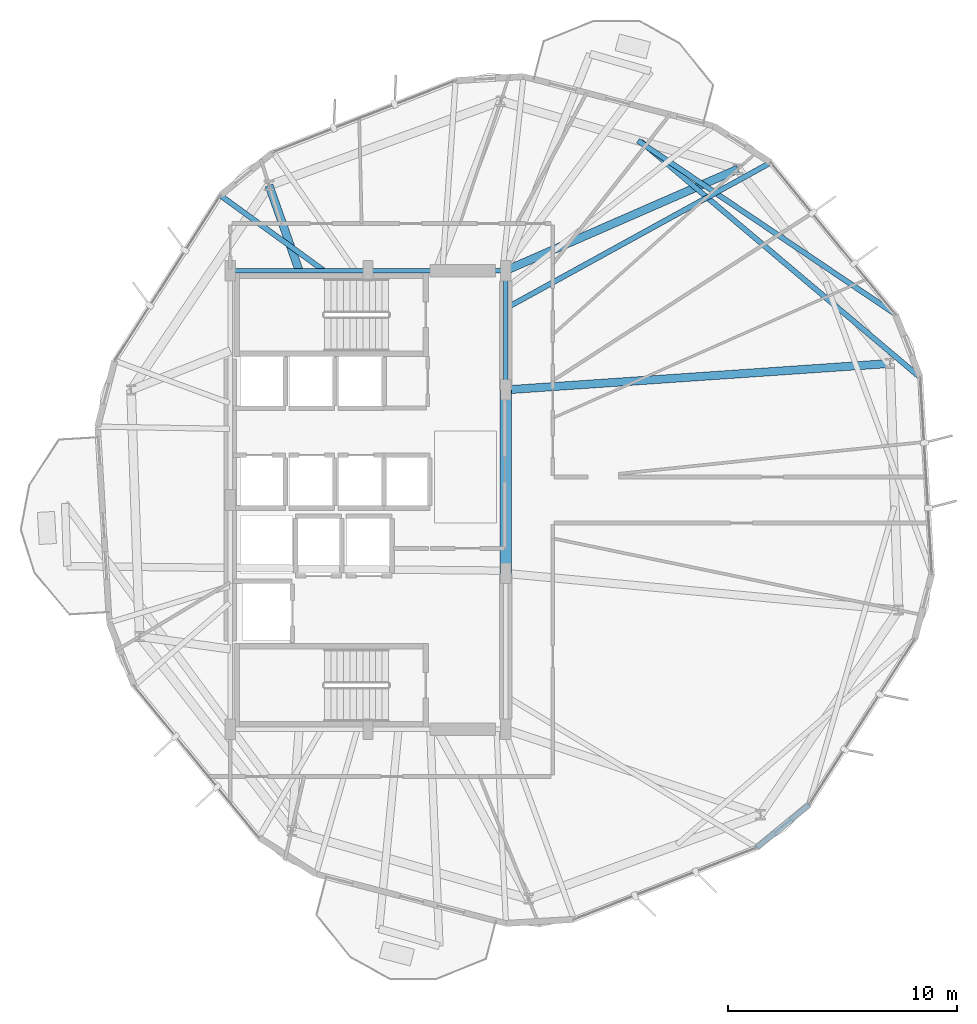
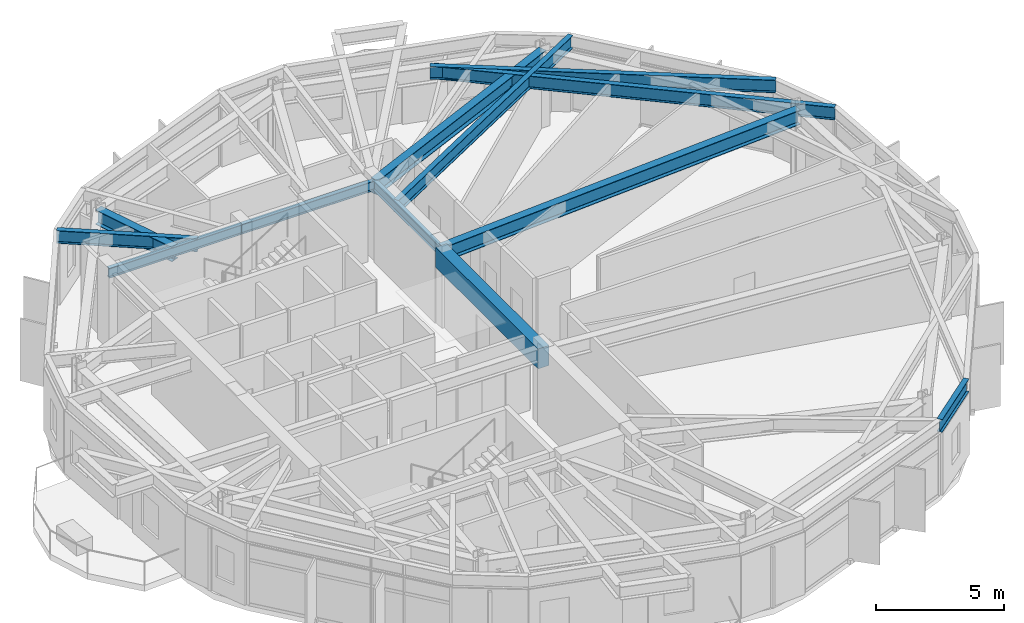
# One storey, part 8 of 22: 12 beams.
"""IFC4 building model written with IfcOpenShell, lengths in metres."""

from ifc_helpers import new_model, si_unit, direction, frame, origin, origin_2d, place, context, subcontext, project, spatial, rectangle, i_section, extrude, material, material_profile, profile_set, type_object, element, save


model = new_model("IFC4")

# Units and contexts
model_context = context("Model", 3, precision=1e-05, world=origin(), true_north=direction((0.0, 1.0)))
body_context = subcontext(model_context, "Body", "Model", "MODEL_VIEW")
ifc_project = project(units=[si_unit("LENGTHUNIT", "METRE"), si_unit("AREAUNIT", "SQUARE_METRE"), si_unit("VOLUMEUNIT", "CUBIC_METRE"), si_unit("PLANEANGLEUNIT", "RADIAN"), si_unit("MASSUNIT", "GRAM", prefix="KILO")], contexts=[model_context])

# Site, building, storey
site_placement = place(None, origin())
site = spatial("IfcSite", under=ifc_project, at=site_placement, CompositionType="ELEMENT")
building_placement = place(site_placement, origin())
building = spatial("IfcBuilding", under=site, at=building_placement, Name="Soratama Intermodal Tower", CompositionType="ELEMENT")
storey_placement = place(building_placement, frame((0.0, 0.0, 110.800048828125)))
storey = spatial("IfcBuildingStorey", under=building, at=storey_placement, Name="L26", CompositionType="ELEMENT", Elevation=110.800048828125)

# Beams
ifc_material_1 = material(Name="Concrete f'c 56 MPa", Category="concrete")
ifc_material_profile_1 = material_profile(ifc_material_1, rectangle(XDim=0.5, YDim=0.949951171875, at=origin_2d()), Name="RC500X950")
ifc_profile_set_1 = profile_set([ifc_material_profile_1], Name="Concrete f'c 56 MPa")
beam_type_1 = type_object("IfcBeamType", Name="BM-CPL-RC500X950", PredefinedType="BEAM", material=ifc_profile_set_1)
beam_1_placement = place(storey_placement, frame((44.60009765625, 21.800048828125, 3.125), z_axis=(0.0, 1.0, 0.0), x_axis=(-1.0, 0.0, 0.0)))
element("IfcBeam", 1, at=beam_1_placement, inside=storey, type_object=beam_type_1, Name="L26 Core Coupling Beam East", PredefinedType="BEAM", context=body_context, shape_type="SweptSolid", body=[
    extrude(rectangle(XDim=0.5, YDim=0.949951171875, at=origin_2d()), origin(), (0.0, 0.0, 1.0), 8.0),
])
ifc_material_2 = material(Name="Structural steel ASTM A992 Grade 50", Category="steel")
ifc_material_profile_2 = material_profile(ifc_material_2, i_section(OverallWidth=0.19091796875, OverallDepth=0.4599609375, WebThickness=0.010009765625, FlangeThickness=0.01611328125, FilletRadius=0.010986328125, at=origin_2d()), Name="W18X55")
ifc_profile_set_2 = profile_set([ifc_material_profile_2], Name="Structural steel ASTM A992 Grade 50")
beam_type_2 = type_object("IfcBeamType", Name="BM-FLR-W18X55", PredefinedType="BEAM", material=ifc_profile_set_2)
beam_2_placement = place(storey_placement, frame((44.60009765625, 29.800048828125, 3.369873046875), z_axis=(0.0, 1.0, 0.0), x_axis=(-1.0, 0.0, 0.0)))
element("IfcBeam", 2, at=beam_2_placement, inside=storey, type_object=beam_type_2, Name="BM-L26-CRING-05", PredefinedType="BEAM", context=body_context, shape_type="SweptSolid", body=[
    extrude(i_section(OverallWidth=0.19091796875, OverallDepth=0.4599609375, WebThickness=0.010009765625, FlangeThickness=0.01611328125, FilletRadius=0.010986328125, at=origin_2d()), origin(), (0.0, 0.0, 1.0), 5.199951171875),
])
for number, where, z_axis, x_axis, name in (
    (3, (44.60009765625, 35.0, 3.369873046875), (-1.0, 0.0, 0.0), (0.0, -1.0, 0.0), "BM-L26-CRING-06"),
    (4, (38.60009765625, 35.0, 3.369873046875), (-1.0, 0.0, 0.0), (0.0, -1.0, 0.0), "BM-L26-CRING-07"),
):
    element("IfcBeam", number, at=place(storey_placement, frame(where, z_axis=z_axis, x_axis=x_axis)), inside=storey, type_object=beam_type_2, Name=name, PredefinedType="BEAM", context=body_context, shape_type="SweptSolid", body=[
        extrude(i_section(OverallWidth=0.19091796875, OverallDepth=0.4599609375, WebThickness=0.010009765625, FlangeThickness=0.01611328125, FilletRadius=0.010986328125, at=origin_2d()), origin(), (0.0, 0.0, 1.0), 6.0),
    ])
ifc_material_3 = material(Name="Structural steel ASTM A992 Grade 50", Category="steel")
ifc_material_profile_3 = material_profile(ifc_material_3, i_section(OverallWidth=0.35498046875, OverallDepth=0.695068359375, WebThickness=0.015380859375, FlangeThickness=0.02490234375, FilletRadius=0.01611328125, at=origin_2d()), Name="W27X146")
ifc_profile_set_3 = profile_set([ifc_material_profile_3], Name="Structural steel ASTM A992 Grade 50")
beam_type_3 = type_object("IfcBeamType", Name="BM-RING-W27X146", PredefinedType="BEAM", material=ifc_profile_set_3)
beam_3_placement = place(storey_placement, frame((44.60009765625, 29.800048828125, 3.25244140625), z_axis=(0.99764812202, 0.06854359656, 0.0), x_axis=(-0.06854359656, 0.99764812202, 0.0)))
element("IfcBeam", 5, at=beam_3_placement, inside=storey, type_object=beam_type_3, Name="BM-L26-RAD-01", PredefinedType="BEAM", context=body_context, shape_type="SweptSolid", body=[
    extrude(i_section(OverallWidth=0.35498046875, OverallDepth=0.695068359375, WebThickness=0.015380859375, FlangeThickness=0.02490234375, FilletRadius=0.01611328125, at=origin_2d()), origin(), (0.0, 0.0, 1.0), 16.79052734375),
])
beam_4_placement = place(storey_placement, frame((44.60009765625, 35.0, 3.25244140625), z_axis=(0.91638224797, 0.400304353718, 0.0), x_axis=(-0.400304353718, 0.91638224797, 0.0)))
element("IfcBeam", 6, at=beam_4_placement, inside=storey, type_object=beam_type_3, Name="BM-L26-RAD-02", PredefinedType="BEAM", context=body_context, shape_type="SweptSolid", body=[
    extrude(i_section(OverallWidth=0.35498046875, OverallDepth=0.695068359375, WebThickness=0.015380859375, FlangeThickness=0.02490234375, FilletRadius=0.01611328125, at=origin_2d()), origin(), (0.0, 0.0, 1.0), 11.05419921875),
])
beam_5_placement = place(storey_placement, frame((35.60009765625, 35.0, 3.25244140625), z_axis=(-0.333332697239, 0.942809266475, 0.0), x_axis=(-0.942809266475, -0.333332697239, 0.0)))
element("IfcBeam", 7, at=beam_5_placement, inside=storey, type_object=beam_type_3, Name="BM-L26-RAD-04", PredefinedType="BEAM", context=body_context, shape_type="SweptSolid", body=[
    extrude(i_section(OverallWidth=0.35498046875, OverallDepth=0.695068359375, WebThickness=0.015380859375, FlangeThickness=0.02490234375, FilletRadius=0.01611328125, at=origin_2d()), origin(), (0.0, 0.0, 1.0), 3.93603515625),
])
ifc_material_4 = material(Name="Structural steel ASTM A992 Grade 50", Category="steel")
ifc_material_profile_4 = material_profile(ifc_material_4, i_section(OverallWidth=0.22900390625, OverallDepth=0.612060546875, WebThickness=0.011962890625, FlangeThickness=0.01953125, FilletRadius=0.012939453125, at=origin_2d()), Name="W24X84")
ifc_profile_set_4 = profile_set([ifc_material_profile_4], Name="Structural steel ASTM A992 Grade 50")
beam_type_4 = type_object("IfcBeamType", Name="BM-SPN-W24X84", PredefinedType="SPANDREL", material=ifc_profile_set_4)
beam_6_placement = place(storey_placement, frame((55.541015625, 9.840087890625, 3.2939453125), z_axis=(0.772507111657, 0.635006112128, 0.0), x_axis=(-0.635006112128, 0.772507111657, 0.0)))
element("IfcBeam", 8, at=beam_6_placement, inside=storey, type_object=beam_type_4, Name="BS-L26-CRN08", PredefinedType="SPANDREL", context=body_context, shape_type="SweptSolid", body=[
    extrude(i_section(OverallWidth=0.22900390625, OverallDepth=0.612060546875, WebThickness=0.011962890625, FlangeThickness=0.01953125, FilletRadius=0.012939453125, at=origin_2d()), origin(), (0.0, 0.0, 1.0), 2.967041015625),
])
ifc_material_5 = material(Name="Structural steel ASTM A992 Grade 50", Category="steel")
ifc_material_profile_5 = material_profile(ifc_material_5, i_section(OverallWidth=0.22900390625, OverallDepth=0.612060546875, WebThickness=0.011962890625, FlangeThickness=0.01953125, FilletRadius=0.012939453125, at=origin_2d()), Name="W24X84")
ifc_profile_set_5 = profile_set([ifc_material_profile_5], Name="Structural steel ASTM A992 Grade 50")
beam_type_5 = type_object("IfcBeamType", Name="BM-TIE-W24X84", PredefinedType="BEAM", material=ifc_profile_set_5)
beam_7_placement = place(storey_placement, frame((50.3720703125, 40.662109375, 3.2939453125), z_axis=(0.829308421506, -0.558791143468, 0.0), x_axis=(0.558791143468, 0.829308421506, 0.0)))
element("IfcBeam", 9, at=beam_7_placement, inside=storey, type_object=beam_type_5, Name="BM-L26-TIE0-01", PredefinedType="BEAM", context=body_context, shape_type="SweptSolid", body=[
    extrude(i_section(OverallWidth=0.22900390625, OverallDepth=0.612060546875, WebThickness=0.011962890625, FlangeThickness=0.01953125, FilletRadius=0.012939453125, at=origin_2d()), origin(), (0.0, 0.0, 1.0), 13.529296875),
])
beam_8_placement = place(storey_placement, frame((44.635009765625, 33.3701171875, 3.2939453125), z_axis=(0.876179069606, 0.481985723839, 0.0), x_axis=(-0.481985723839, 0.876179069606, 0.0)))
element("IfcBeam", 10, at=beam_8_placement, inside=storey, type_object=beam_type_5, Name="BM-L26-TIE1-01", PredefinedType="BEAM", context=body_context, shape_type="SweptSolid", body=[
    extrude(i_section(OverallWidth=0.22900390625, OverallDepth=0.612060546875, WebThickness=0.011962890625, FlangeThickness=0.01953125, FilletRadius=0.012939453125, at=origin_2d()), origin(), (0.0, 0.0, 1.0), 13.153564453125),
])
beam_9_placement = place(storey_placement, frame((36.64794921875, 35.02294921875, 3.2939453125), z_axis=(-0.809246758394, 0.5874688792, 0.0), x_axis=(-0.5874688792, -0.809246758394, 0.0)))
element("IfcBeam", 11, at=beam_9_placement, inside=storey, type_object=beam_type_5, Name="BM-L26-TIE0-04", PredefinedType="BEAM", context=body_context, shape_type="SweptSolid", body=[
    extrude(i_section(OverallWidth=0.22900390625, OverallDepth=0.612060546875, WebThickness=0.011962890625, FlangeThickness=0.01953125, FilletRadius=0.012939453125, at=origin_2d()), origin(), (0.0, 0.0, 1.0), 5.537109375),
])
beam_10_placement = place(storey_placement, frame((50.506103515625, 40.618896484375, 3.2939453125), z_axis=(0.763942941385, -0.645283799819, 0.0), x_axis=(0.645283799819, 0.763942941385, 0.0)))
element("IfcBeam", 12, at=beam_10_placement, inside=storey, type_object=beam_type_5, Name="BM-L26-TIE1-10", PredefinedType="BEAM", context=body_context, shape_type="SweptSolid", body=[
    extrude(i_section(OverallWidth=0.22900390625, OverallDepth=0.612060546875, WebThickness=0.011962890625, FlangeThickness=0.01953125, FilletRadius=0.012939453125, at=origin_2d()), origin(), (0.0, 0.0, 1.0), 15.92919921875),
])

save(model, "model.ifc")
